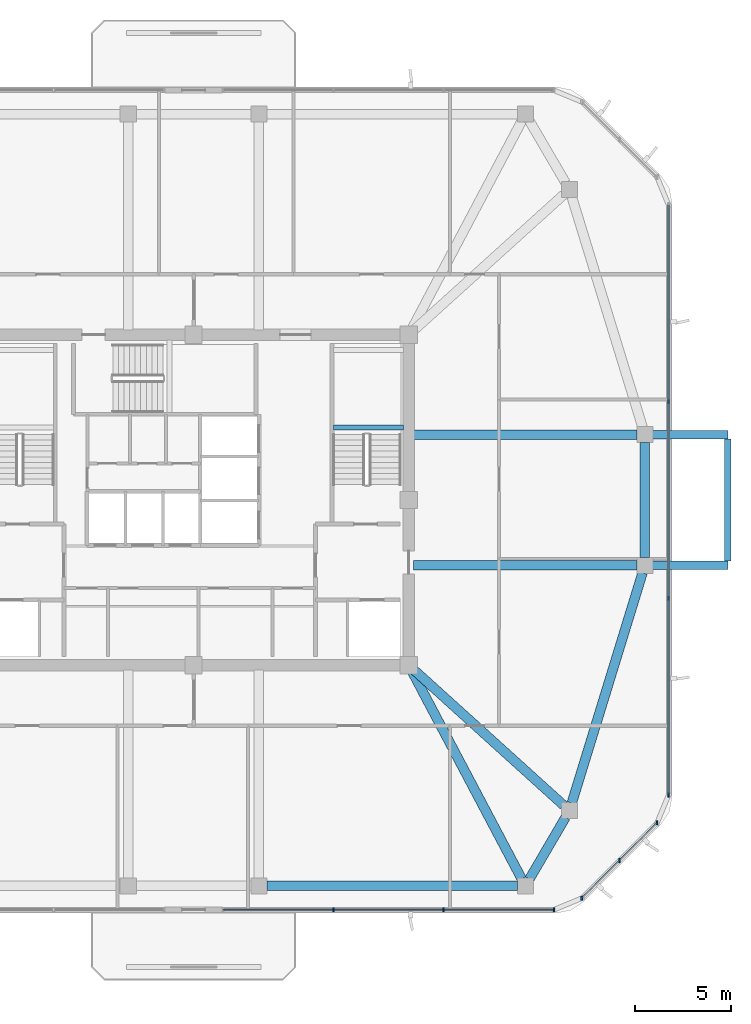
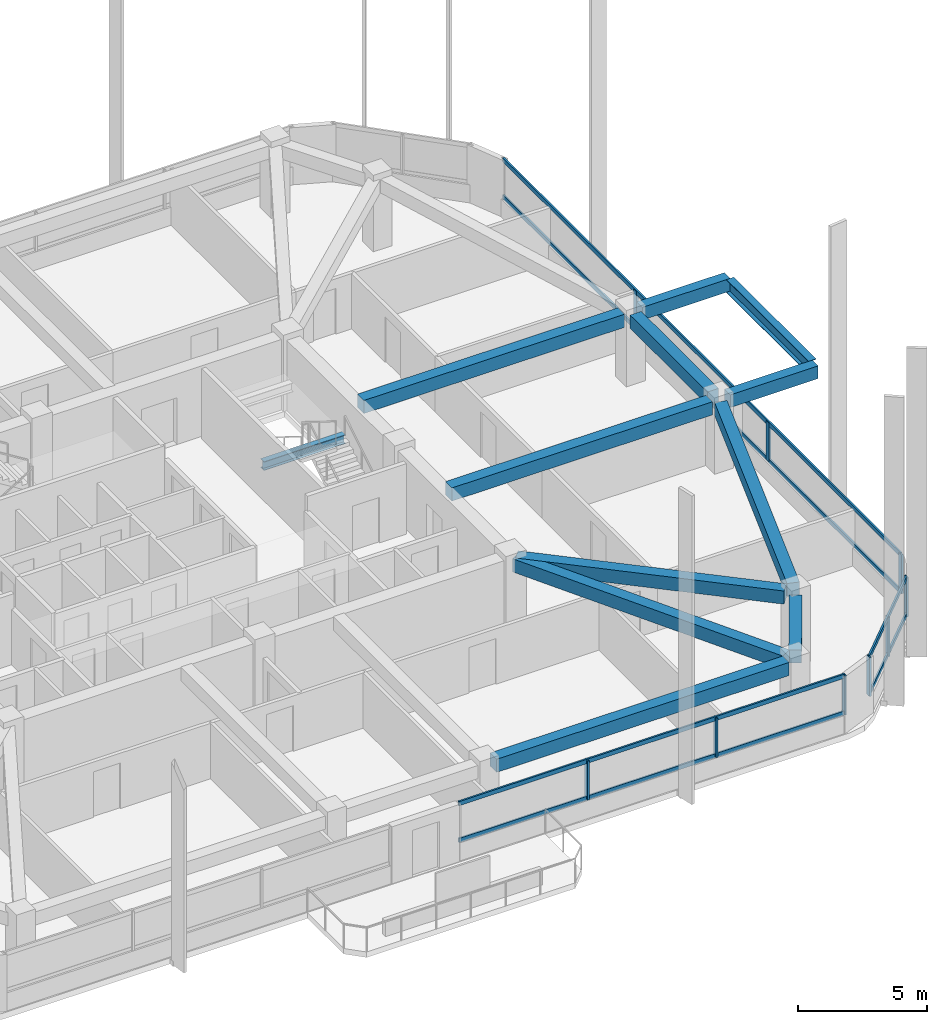
# One storey, part 3 of 13: 15 members, 12 beams, 3 elements without a shape of their own.
"""IFC4 building model written with IfcOpenShell, lengths in metres."""

from ifc_helpers import new_model, si_unit, derived_unit, direction, frame, origin, origin_2d, place, context, subcontext, project, spatial, rectangle, i_section, extrude, material, material_profile, profile_set, type_object, element, aggregate, save


model = new_model("IFC4")

# Units and contexts
model_context = context("Model", 3, precision=1e-05, world=origin(), true_north=direction((0.0, 1.0)))
body_context = subcontext(model_context, "Body", "Model", "MODEL_VIEW")
ifc_project = project(units=[si_unit("LENGTHUNIT", "METRE"), si_unit("AREAUNIT", "SQUARE_METRE"), si_unit("VOLUMEUNIT", "CUBIC_METRE"), si_unit("PLANEANGLEUNIT", "RADIAN"), si_unit("MASSUNIT", "GRAM", prefix="KILO"), derived_unit("THERMALTRANSMITTANCEUNIT", [(si_unit("POWERUNIT", "WATT"), 1), (si_unit("LENGTHUNIT", "METRE"), -2), (si_unit("THERMODYNAMICTEMPERATUREUNIT", "KELVIN"), -1)])], contexts=[model_context])

# Site, building, storey
site_placement = place(None, origin())
site = spatial("IfcSite", under=ifc_project, at=site_placement, CompositionType="ELEMENT")
building_placement = place(site_placement, origin())
building = spatial("IfcBuilding", under=site, at=building_placement, Name="Koralith Skygarden Medical Center", CompositionType="ELEMENT")
storey_placement = place(building_placement, frame((0.0, 0.0, 253.6201171875)))
storey = spatial("IfcBuildingStorey", under=building, at=storey_placement, Name="L65", CompositionType="ELEMENT", Elevation=253.6201171875)

# Curtain wall, members
ifc_material_1 = material(Name="Clear Laminated Glass", Category="glass")
curtain_wall_type = type_object("IfcCurtainWallType", Name="CW-6 Zone 5 Upper Clinical Curtain Wall", PredefinedType="NOTDEFINED", material=ifc_material_1)
curtain_wall_1_placement = place(storey_placement, origin())
curtain_wall_1 = element("IfcCurtainWall", 1, at=curtain_wall_1_placement, inside=storey, type_object=curtain_wall_type, Name="Curtain Wall CW-L65-S-R", PredefinedType="NOTDEFINED")
ifc_material_2 = material(Name="Aluminium 6063-T6", Category="aluminium")
ifc_material_profile_1 = material_profile(ifc_material_2, rectangle(XDim=0.0830078125, YDim=0.219970703125, at=origin_2d()), Name="MUL83X220")
ifc_profile_set_1 = profile_set([ifc_material_profile_1], Name="Aluminium 6063-T6")
member_type_1 = type_object("IfcMemberType", Name="CW-6 Extruded Mullion 83x220", PredefinedType="MULLION", material=ifc_profile_set_1)
member_1_placement = place(storey_placement, frame((44.27392578125, 4.580078125, 0.849853515625), z_axis=(0.0, 0.0, 1.0), x_axis=(1.0, 0.0, 0.0)))
member_1 = element("IfcMember", 2, at=member_1_placement, type_object=member_type_1, Name="CW-L65-S-R Mullion 2", PredefinedType="MULLION", context=body_context, shape_type="SweptSolid", body=[
    extrude(rectangle(XDim=0.0830078125, YDim=0.219970703125, at=origin_2d()), origin(), (0.0, 0.0, 1.0), 1.840087890625),
])
member_2_placement = place(storey_placement, frame((50.010009765625, 4.580078125, 0.849853515625), z_axis=(0.0, 0.0, 1.0), x_axis=(1.0, 0.0, 0.0)))
member_2 = element("IfcMember", 3, at=member_2_placement, type_object=member_type_1, Name="CW-L65-S-R Mullion 3", PredefinedType="MULLION", context=body_context, shape_type="SweptSolid", body=[
    extrude(rectangle(XDim=0.0830078125, YDim=0.219970703125, at=origin_2d()), origin(), (0.0, 0.0, 1.0), 1.840087890625),
])
member_3_placement = place(storey_placement, frame((55.7451171875, 4.580078125, 0.849853515625), z_axis=(0.0, 0.0, 1.0), x_axis=(1.0, 0.0, 0.0)))
member_3 = element("IfcMember", 4, at=member_3_placement, type_object=member_type_1, Name="CW-L65-S-R Mullion 4", PredefinedType="MULLION", context=body_context, shape_type="SweptSolid", body=[
    extrude(rectangle(XDim=0.0830078125, YDim=0.219970703125, at=origin_2d()), origin(), (0.0, 0.0, 1.0), 1.840087890625),
])

curtain_wall_2_placement = place(storey_placement, origin())
curtain_wall_2 = element("IfcCurtainWall", 5, at=curtain_wall_2_placement, inside=storey, type_object=curtain_wall_type, Name="Curtain Wall CW-L65-SE", PredefinedType="NOTDEFINED")
member_4_placement = place(storey_placement, frame((57.196044921875, 5.180908203125, 0.849853515625), z_axis=(0.0, 0.0, 1.0), x_axis=(1.0, 0.0, 0.0)))
member_4 = element("IfcMember", 6, at=member_4_placement, type_object=member_type_1, Name="CW-L65-SE Mullion 1", PredefinedType="MULLION", context=body_context, shape_type="SweptSolid", body=[
    extrude(rectangle(XDim=0.0830078125, YDim=0.219970703125, at=origin_2d()), origin(), (0.0, 0.0, 1.0), 1.840087890625),
])
member_5_placement = place(storey_placement, frame((59.156982421875, 7.14306640625, 0.849853515625), z_axis=(0.0, 0.0, 1.0), x_axis=(1.0, 0.0, 0.0)))
member_5 = element("IfcMember", 7, at=member_5_placement, type_object=member_type_1, Name="CW-L65-SE Mullion 2", PredefinedType="MULLION", context=body_context, shape_type="SweptSolid", body=[
    extrude(rectangle(XDim=0.0830078125, YDim=0.219970703125, at=origin_2d()), origin(), (0.0, 0.0, 1.0), 1.840087890625),
])
member_6_placement = place(storey_placement, frame((61.118896484375, 9.10400390625, 0.849853515625), z_axis=(0.0, 0.0, 1.0), x_axis=(1.0, 0.0, 0.0)))
member_6 = element("IfcMember", 8, at=member_6_placement, type_object=member_type_1, Name="CW-L65-SE Mullion 3", PredefinedType="MULLION", context=body_context, shape_type="SweptSolid", body=[
    extrude(rectangle(XDim=0.0830078125, YDim=0.219970703125, at=origin_2d()), origin(), (0.0, 0.0, 1.0), 1.840087890625),
])

curtain_wall_3_placement = place(storey_placement, origin())
curtain_wall_3 = element("IfcCurtainWall", 9, at=curtain_wall_3_placement, inside=storey, type_object=curtain_wall_type, Name="Curtain Wall CW-L65-E", PredefinedType="NOTDEFINED")
member_7_placement = place(storey_placement, frame((61.719970703125, 10.554931640625, 0.849853515625), z_axis=(0.0, 0.0, 1.0), x_axis=(1.0, 0.0, 0.0)))
member_7 = element("IfcMember", 10, at=member_7_placement, type_object=member_type_1, Name="CW-L65-E Mullion 1", PredefinedType="MULLION", context=body_context, shape_type="SweptSolid", body=[
    extrude(rectangle(XDim=0.0830078125, YDim=0.219970703125, at=origin_2d()), origin(), (0.0, 0.0, 1.0), 1.840087890625),
])
member_8_placement = place(storey_placement, frame((61.719970703125, 20.784912109375, 0.849853515625), z_axis=(0.0, 0.0, 1.0), x_axis=(1.0, 0.0, 0.0)))
member_8 = element("IfcMember", 11, at=member_8_placement, type_object=member_type_1, Name="CW-L65-E Mullion 2", PredefinedType="MULLION", context=body_context, shape_type="SweptSolid", body=[
    extrude(rectangle(XDim=0.0830078125, YDim=0.219970703125, at=origin_2d()), origin(), (0.0, 0.0, 1.0), 1.840087890625),
])
member_9_placement = place(storey_placement, frame((61.719970703125, 31.014892578125, 0.849853515625), z_axis=(0.0, 0.0, 1.0), x_axis=(1.0, 0.0, 0.0)))
member_9 = element("IfcMember", 12, at=member_9_placement, type_object=member_type_1, Name="CW-L65-E Mullion 3", PredefinedType="MULLION", context=body_context, shape_type="SweptSolid", body=[
    extrude(rectangle(XDim=0.0830078125, YDim=0.219970703125, at=origin_2d()), origin(), (0.0, 0.0, 1.0), 1.840087890625),
])

# Member
ifc_material_profile_2 = material_profile(ifc_material_2, rectangle(XDim=0.077880859375, YDim=0.197998046875, at=origin_2d()), Name="TRN78X198")
ifc_profile_set_2 = profile_set([ifc_material_profile_2], Name="Aluminium 6063-T6")
member_type_2 = type_object("IfcMemberType", Name="CW-6 Thermal Transom 78x198", PredefinedType="USERDEFINED", material=ifc_profile_set_2)
member_10_placement = place(storey_placement, frame((38.5390625, 4.580078125, 0.89990234375), z_axis=(1.0, 0.0, 0.0), x_axis=(0.0, 1.0, 0.0)))
member_10 = element("IfcMember", 13, at=member_10_placement, type_object=member_type_2, Name="CW-L65-S-R Transom 1", ObjectType="TRANSOM", PredefinedType="USERDEFINED", context=body_context, shape_type="SweptSolid", body=[
    extrude(rectangle(XDim=0.077880859375, YDim=0.197998046875, at=origin_2d()), origin(), (0.0, 0.0, 1.0), 17.2060546875),
])

member_11_placement = place(storey_placement, frame((38.5390625, 4.580078125, 2.639892578125), z_axis=(1.0, 0.0, 0.0), x_axis=(0.0, 1.0, 0.0)))
member_11 = element("IfcMember", 14, at=member_11_placement, type_object=member_type_2, Name="CW-L65-S-R Transom 2", ObjectType="TRANSOM", PredefinedType="USERDEFINED", context=body_context, shape_type="SweptSolid", body=[
    extrude(rectangle(XDim=0.077880859375, YDim=0.197998046875, at=origin_2d()), origin(), (0.0, 0.0, 1.0), 17.2060546875),
])

aggregate(curtain_wall_1, [member_1, member_2, member_3, member_10, member_11])

member_12_placement = place(storey_placement, frame((57.196044921875, 5.180908203125, 0.89990234375), z_axis=(0.707084777957, 0.707128783731, 0.0), x_axis=(-0.707128783731, 0.707084777957, 0.0)))
member_12 = element("IfcMember", 15, at=member_12_placement, type_object=member_type_2, Name="CW-L65-SE Transom 1", ObjectType="TRANSOM", PredefinedType="USERDEFINED", context=body_context, shape_type="SweptSolid", body=[
    extrude(rectangle(XDim=0.077880859375, YDim=0.197998046875, at=origin_2d()), origin(), (0.0, 0.0, 1.0), 5.5478515625),
])

member_13_placement = place(storey_placement, frame((57.196044921875, 5.180908203125, 2.639892578125), z_axis=(0.707084777957, 0.707128783731, 0.0), x_axis=(-0.707128783731, 0.707084777957, 0.0)))
member_13 = element("IfcMember", 16, at=member_13_placement, type_object=member_type_2, Name="CW-L65-SE Transom 2", ObjectType="TRANSOM", PredefinedType="USERDEFINED", context=body_context, shape_type="SweptSolid", body=[
    extrude(rectangle(XDim=0.077880859375, YDim=0.197998046875, at=origin_2d()), origin(), (0.0, 0.0, 1.0), 5.5478515625),
])

aggregate(curtain_wall_2, [member_4, member_5, member_6, member_12, member_13])

member_14_placement = place(storey_placement, frame((61.719970703125, 10.554931640625, 0.89990234375), z_axis=(0.0, 1.0, 0.0), x_axis=(-1.0, 0.0, 0.0)))
member_14 = element("IfcMember", 17, at=member_14_placement, type_object=member_type_2, Name="CW-L65-E Transom 1", ObjectType="TRANSOM", PredefinedType="USERDEFINED", context=body_context, shape_type="SweptSolid", body=[
    extrude(rectangle(XDim=0.077880859375, YDim=0.197998046875, at=origin_2d()), origin(), (0.0, 0.0, 1.0), 30.690185546875),
])

member_15_placement = place(storey_placement, frame((61.719970703125, 10.554931640625, 2.639892578125), z_axis=(0.0, 1.0, 0.0), x_axis=(-1.0, 0.0, 0.0)))
member_15 = element("IfcMember", 18, at=member_15_placement, type_object=member_type_2, Name="CW-L65-E Transom 2", ObjectType="TRANSOM", PredefinedType="USERDEFINED", context=body_context, shape_type="SweptSolid", body=[
    extrude(rectangle(XDim=0.077880859375, YDim=0.197998046875, at=origin_2d()), origin(), (0.0, 0.0, 1.0), 30.690185546875),
])

aggregate(curtain_wall_3, [member_7, member_8, member_9, member_14, member_15])

# Beams
ifc_material_3 = material(Name="Steel ASTM A992 Grade 50", Category="steel")
ifc_material_profile_3 = material_profile(ifc_material_3, i_section(OverallWidth=0.326904296875, OverallDepth=0.6220703125, WebThickness=0.015380859375, FlangeThickness=0.0244140625, at=origin_2d()), Name="W24X131")
ifc_profile_set_3 = profile_set([ifc_material_profile_3], Name="Steel ASTM A992 Grade 50")
beam_type_1 = type_object("IfcBeamType", Name="Cantilever Tie Beam W24X131", PredefinedType="BEAM", material=ifc_profile_set_3)
beam_1_placement = place(storey_placement, frame((64.800048828125, 22.719970703125, 3.02880859375), z_axis=(0.0, 1.0, 0.0), x_axis=(-1.0, 0.0, 0.0)))
element("IfcBeam", 19, at=beam_1_placement, inside=storey, type_object=beam_type_1, Name="L66 E Balcony Tip Tie Beam", PredefinedType="BEAM", context=body_context, shape_type="SweptSolid", body=[
    extrude(i_section(OverallWidth=0.326904296875, OverallDepth=0.6220703125, WebThickness=0.015380859375, FlangeThickness=0.0244140625, at=origin_2d()), origin(), (0.0, 0.0, 1.0), 6.360107421875),
])
ifc_material_profile_4 = material_profile(ifc_material_3, i_section(OverallWidth=0.260009765625, OverallDepth=0.4150390625, WebThickness=0.010009765625, FlangeThickness=0.016845703125, at=origin_2d()), Name="W16X67")
ifc_profile_set_4 = profile_set([ifc_material_profile_4], Name="Steel ASTM A992 Grade 50")
beam_type_2 = type_object("IfcBeamType", Name="Clinical Floor Joist W16X67", PredefinedType="JOIST", material=ifc_profile_set_4)
beam_2_placement = place(storey_placement, frame((44.280029296875, 29.659912109375, 1.391845703125), z_axis=(1.0, 0.0, 0.0), x_axis=(0.0, 1.0, 0.0)))
element("IfcBeam", 20, at=beam_2_placement, inside=storey, type_object=beam_type_2, Name="L65 Stair ST2 Half-Landing Support Beam 1A", PredefinedType="JOIST", context=body_context, shape_type="SweptSolid", body=[
    extrude(i_section(OverallWidth=0.260009765625, OverallDepth=0.4150390625, WebThickness=0.010009765625, FlangeThickness=0.016845703125, at=origin_2d()), origin(), (0.0, 0.0, 1.0), 3.639892578125),
])
ifc_material_4 = material(Name="Concrete C45/55", Category="concrete")
ifc_material_profile_5 = material_profile(ifc_material_4, rectangle(XDim=0.449951171875, YDim=0.60009765625, at=origin_2d()), Name="RCB450X600")
ifc_profile_set_5 = profile_set([ifc_material_profile_5], Name="Concrete C45/55")
beam_type_3 = type_object("IfcBeamType", Name="Planted Balcony Cantilever Beam RCB450X600", PredefinedType="BEAM", material=ifc_profile_set_5)
for number, where, z_axis, x_axis, name in (
    (21, (60.8798828125, 22.5, 3.039794921875), (1.0, 0.0, 0.0), (0.0, 1.0, 0.0), "L66 E Balcony Cantilever Beam A"),
    (22, (60.8798828125, 29.300048828125, 3.039794921875), (1.0, 0.0, 0.0), (0.0, 1.0, 0.0), "L66 E Balcony Cantilever Beam B"),
):
    element("IfcBeam", number, at=place(storey_placement, frame(where, z_axis=z_axis, x_axis=x_axis)), inside=storey, type_object=beam_type_3, Name=name, PredefinedType="BEAM", context=body_context, shape_type="SweptSolid", body=[
        extrude(rectangle(XDim=0.449951171875, YDim=0.60009765625, at=origin_2d()), origin(), (0.0, 0.0, 1.0), 3.920166015625),
    ])
ifc_material_profile_6 = material_profile(ifc_material_4, rectangle(XDim=0.5, YDim=0.6201171875, at=origin_2d()), Name="RCB500X620")
ifc_profile_set_6 = profile_set([ifc_material_profile_6], Name="Concrete C45/55")
beam_type_4 = type_object("IfcBeamType", Name="Upper Radial Collector Beam RCB500X620", PredefinedType="BEAM", material=ifc_profile_set_6)
beam_3_placement = place(storey_placement, frame((48.31689453125, 17.0791015625, 3.009765625), z_axis=(0.46724871287, -0.884125918816, 0.0), x_axis=(0.884125918816, 0.46724871287, 0.0)))
element("IfcBeam", 23, at=beam_3_placement, inside=storey, type_object=beam_type_4, Name="L65 Radial Collector Beam RB-06", PredefinedType="BEAM", context=body_context, shape_type="SweptSolid", body=[
    extrude(rectangle(XDim=0.5, YDim=0.6201171875, at=origin_2d()), origin(), (0.0, 0.0, 1.0), 12.325439453125),
])
beam_4_placement = place(storey_placement, frame((48.385009765625, 17.132080078125, 3.009765625), z_axis=(0.741736323186, -0.670691603397, 0.0), x_axis=(0.670691603397, 0.741736323186, 0.0)))
element("IfcBeam", 24, at=beam_4_placement, inside=storey, type_object=beam_type_4, Name="L65 Radial Collector Beam RB-07", PredefinedType="BEAM", context=body_context, shape_type="SweptSolid", body=[
    extrude(rectangle(XDim=0.5, YDim=0.6201171875, at=origin_2d()), origin(), (0.0, 0.0, 1.0), 10.61181640625),
])
for number, where, z_axis, x_axis, name in (
    (25, (48.449951171875, 22.5, 3.009765625), (1.0, 0.0, 0.0), (0.0, 1.0, 0.0), "L65 Radial Collector Beam RB-08"),
    (26, (48.449951171875, 29.300048828125, 3.009765625), (1.0, 0.0, 0.0), (0.0, 1.0, 0.0), "L65 Radial Collector Beam RB-09"),
):
    element("IfcBeam", number, at=place(storey_placement, frame(where, z_axis=z_axis, x_axis=x_axis)), inside=storey, type_object=beam_type_4, Name=name, PredefinedType="BEAM", context=body_context, shape_type="SweptSolid", body=[
        extrude(rectangle(XDim=0.5, YDim=0.6201171875, at=origin_2d()), origin(), (0.0, 0.0, 1.0), 11.6201171875),
    ])
ifc_material_profile_7 = material_profile(ifc_material_4, rectangle(XDim=0.5, YDim=0.6201171875, at=origin_2d()), Name="RCB500X620")
ifc_profile_set_7 = profile_set([ifc_material_profile_7], Name="Concrete C45/55")
beam_type_5 = type_object("IfcBeamType", Name="Zone 4-5 Spandrel Beam RCB500X620", PredefinedType="SPANDREL", material=ifc_profile_set_7)
beam_5_placement = place(storey_placement, frame((40.81005859375, 5.820068359375, 3.009765625), z_axis=(1.0, 0.0, 0.0), x_axis=(0.0, 1.0, 0.0)))
element("IfcBeam", 27, at=beam_5_placement, inside=storey, type_object=beam_type_5, Name="L65 Perimeter Spandrel Beam SP-05", PredefinedType="SPANDREL", context=body_context, shape_type="SweptSolid", body=[
    extrude(rectangle(XDim=0.5, YDim=0.6201171875, at=origin_2d()), origin(), (0.0, 0.0, 1.0), 13.0478515625),
])
beam_6_placement = place(storey_placement, frame((54.47509765625, 6.174072265625, 3.009765625), z_axis=(0.50473571007, 0.863273921175, 0.0), x_axis=(-0.863273921175, 0.50473571007, 0.0)))
element("IfcBeam", 28, at=beam_6_placement, inside=storey, type_object=beam_type_5, Name="L65 Perimeter Spandrel Beam SP-06", PredefinedType="SPANDREL", context=body_context, shape_type="SweptSolid", body=[
    extrude(rectangle(XDim=0.5, YDim=0.6201171875, at=origin_2d()), origin(), (0.0, 0.0, 1.0), 3.720703125),
])
beam_7_placement = place(storey_placement, frame((56.679931640625, 10.132080078125, 3.009765625), z_axis=(0.293743494914, 0.955884281279, 0.0), x_axis=(-0.955884281279, 0.293743494914, 0.0)))
element("IfcBeam", 29, at=beam_7_placement, inside=storey, type_object=beam_type_5, Name="L65 Perimeter Spandrel Beam SP-07", PredefinedType="SPANDREL", context=body_context, shape_type="SweptSolid", body=[
    extrude(rectangle(XDim=0.5, YDim=0.6201171875, at=origin_2d()), origin(), (0.0, 0.0, 1.0), 12.528564453125),
])
beam_8_placement = place(storey_placement, frame((60.47998046875, 22.909912109375, 3.009765625), z_axis=(0.0, 1.0, 0.0), x_axis=(-1.0, 0.0, 0.0)))
element("IfcBeam", 30, at=beam_8_placement, inside=storey, type_object=beam_type_5, Name="L65 Perimeter Spandrel Beam SP-08", PredefinedType="SPANDREL", context=body_context, shape_type="SweptSolid", body=[
    extrude(rectangle(XDim=0.5, YDim=0.6201171875, at=origin_2d()), origin(), (0.0, 0.0, 1.0), 5.97998046875),
])

save(model, "model.ifc")
